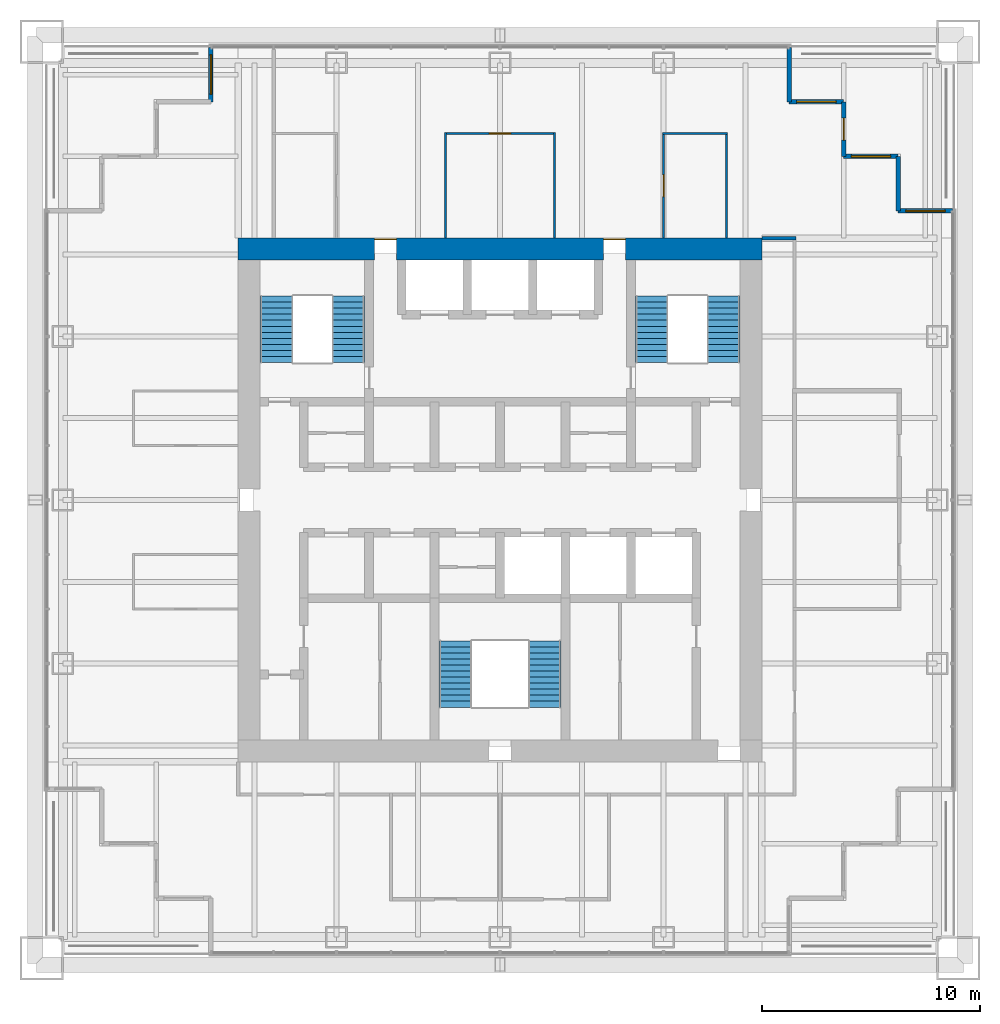
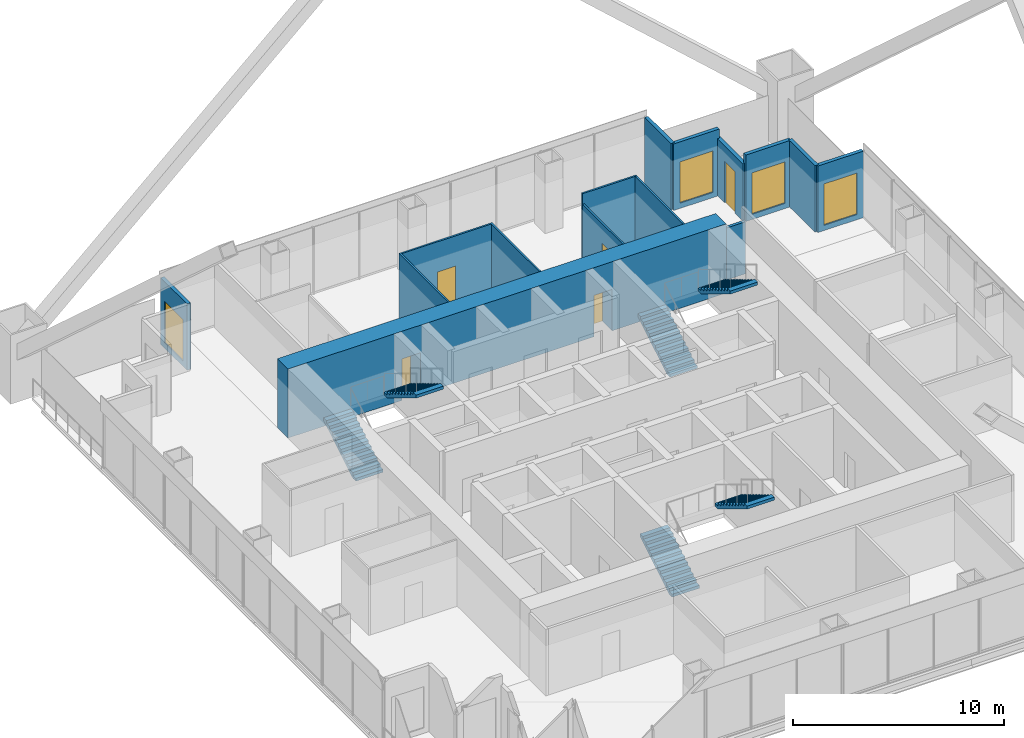
# One storey, part 16 of 18: 15 walls, 6 stair flights, 5 doors, 4 windows, 9 openings, 3 elements without a shape of their own.
"""IFC4 building model written with IfcOpenShell, lengths in metres."""

from ifc_helpers import new_model, si_unit, direction, frame, frame_2d, origin, place, context, subcontext, project, spatial, polyline, rectangle, outline, extrude, material, layer, layer_set, type_object, element, fill, aggregate, save


model = new_model("IFC4")

# Units and contexts
model_context = context("Model", 3, precision=1e-05, world=origin(), true_north=direction((0.0, 1.0)))
body_context = subcontext(model_context, "Body", "Model", "MODEL_VIEW")
ifc_project = project(units=[si_unit("LENGTHUNIT", "METRE"), si_unit("AREAUNIT", "SQUARE_METRE"), si_unit("VOLUMEUNIT", "CUBIC_METRE"), si_unit("PLANEANGLEUNIT", "RADIAN"), si_unit("MASSUNIT", "GRAM", prefix="KILO")], contexts=[model_context])

# Site, building, storey
site_placement = place(None, origin())
site = spatial("IfcSite", under=ifc_project, at=site_placement, CompositionType="ELEMENT")
building_placement = place(site_placement, origin())
building = spatial("IfcBuilding", under=site, at=building_placement, Name="Tarangal Relay Tower", CompositionType="ELEMENT")
storey_placement = place(building_placement, frame((0.0, 0.0, 295.89990234375)))
storey = spatial("IfcBuildingStorey", under=building, at=storey_placement, Name="L65", CompositionType="ELEMENT", Elevation=295.89990234375)

# Wall, openings, doors
ifc_material_1 = material(Name="Concrete fc' 60 MPa", Category="concrete")
ifc_layer_1 = layer(ifc_material_1, 1.0)
ifc_layer_set_1 = layer_set([ifc_layer_1], Name="Core wall 1000")
wall_type_1 = type_object("IfcWallType", Name="Core wall 1000", PredefinedType="SHEAR", material=ifc_layer_set_1)
wall_1_placement = place(storey_placement, frame((-12.0, 11.5, 0.0), z_axis=(0.0, 0.0, 1.0), x_axis=(1.0, 0.0, 0.0)))
wall_1 = element("IfcWall", 1, at=wall_1_placement, inside=storey, type_object=wall_type_1, Name="Core wall N L65", PredefinedType="SHEAR", context=body_context, shape_type="SweptSolid", body=[
    extrude(rectangle(XDim=24.0, YDim=1.0, at=frame_2d((12.0, 0.0))), origin(), (0.0, 0.0, 1.0), 4.0),
])
opening_1_placement = place(wall_1_placement, frame((6.25, 0.0, 0.0)))
opening_1 = element("IfcOpeningElement", 2, at=opening_1_placement, cuts=wall_1, Name="Opening FD3", PredefinedType="OPENING", context=body_context, shape_type="SweptSolid", body=[
    extrude(rectangle(XDim=1.0, YDim=2.39990234375, at=frame_2d((0.5, 1.199951171875))), frame((0.0, 0.510009765625, 0.0), z_axis=(0.0, -1.0, 0.0), x_axis=(1.0, 0.0, 0.0)), (0.0, 0.0, 1.0), 1.02001953125),
])
opening_2_placement = place(wall_1_placement, frame((16.75, 0.0, 0.0)))
opening_2 = element("IfcOpeningElement", 3, at=opening_2_placement, cuts=wall_1, Name="Opening FD3", PredefinedType="OPENING", context=body_context, shape_type="SweptSolid", body=[
    extrude(rectangle(XDim=1.0, YDim=2.39990234375, at=frame_2d((0.5, 1.199951171875))), frame((0.0, 0.510009765625, 0.0), z_axis=(0.0, -1.0, 0.0), x_axis=(1.0, 0.0, 0.0)), (0.0, 0.0, 1.0), 1.02001953125),
])
ifc_material_2 = material(Name="Steel door with hardwood frame", Category="steel")
door_type_1 = type_object("IfcDoorType", Name="Fire door 1000 x 2400 core entry", OperationType="SINGLE_SWING_RIGHT", PredefinedType="DOOR", material=ifc_material_2)
door_1_placement = place(opening_1_placement, origin())
door_1 = element("IfcDoor", 4, at=door_1_placement, inside=storey, type_object=door_type_1, Name="Core entry door north west L65", OperationType="SINGLE_SWING_RIGHT", OverallHeight=2.39990234375, OverallWidth=1.0, PredefinedType="DOOR", context=body_context, shape_type="SweptSolid", body=[
    extrude(rectangle(XDim=1.0, YDim=2.39990234375, at=frame_2d((0.5, 1.199951171875))), frame((0.0, 0.48486328125, 0.0), z_axis=(0.0, -1.0, 0.0), x_axis=(1.0, 0.0, 0.0)), (0.0, 0.0, 1.0), 0.050048828125),
])
fill(opening_1, door_1)
door_2_placement = place(opening_2_placement, origin())
door_2 = element("IfcDoor", 5, at=door_2_placement, inside=storey, type_object=door_type_1, Name="Core entry door north east L65", OperationType="SINGLE_SWING_RIGHT", OverallHeight=2.39990234375, OverallWidth=1.0, PredefinedType="DOOR", context=body_context, shape_type="SweptSolid", body=[
    extrude(rectangle(XDim=1.0, YDim=2.39990234375, at=frame_2d((0.5, 1.199951171875))), frame((0.0, 0.48486328125, 0.0), z_axis=(0.0, -1.0, 0.0), x_axis=(1.0, 0.0, 0.0)), (0.0, 0.0, 1.0), 0.050048828125),
])
fill(opening_2, door_2)

# Wall
ifc_material_3 = material(Name="Black metal clad insulated wall", Category="steel")
ifc_layer_2 = layer(ifc_material_3, 0.199951171875)
ifc_layer_set_2 = layer_set([ifc_layer_2], Name="Corner wall metal clad 200")
wall_type_2 = type_object("IfcWallType", Name="Corner wall metal clad 200", PredefinedType="SOLIDWALL", material=ifc_layer_set_2)
wall_2_placement = place(storey_placement, frame((13.25, 20.75, 0.0), z_axis=(0.0, 0.0, 1.0), x_axis=(0.0, -1.0, 0.0)))
element("IfcWall", 6, at=wall_2_placement, inside=storey, type_object=wall_type_2, Name="Facade wall N facade L65", PredefinedType="SOLIDWALL", context=body_context, shape_type="SweptSolid", body=[
    extrude(rectangle(XDim=2.5, YDim=0.199951171875, at=frame_2d((1.25, 0.0))), origin(), (0.0, 0.0, 1.0), 3.85009765625),
])

# Wall, opening, window
wall_3_placement = place(storey_placement, frame((13.25, 18.25, 0.0), z_axis=(0.0, 0.0, 1.0), x_axis=(1.0, 0.0, 0.0)))
wall_3 = element("IfcWall", 7, at=wall_3_placement, inside=storey, type_object=wall_type_2, Name="Facade wall N facade L65", PredefinedType="SOLIDWALL", context=body_context, shape_type="SweptSolid", body=[
    extrude(rectangle(XDim=2.5, YDim=0.199951171875, at=frame_2d((1.25, 0.0))), origin(), (0.0, 0.0, 1.0), 3.85009765625),
])
opening_3_placement = place(wall_3_placement, frame((0.35009765625, 0.0, 0.300048828125)))
opening_3 = element("IfcOpeningElement", 8, at=opening_3_placement, cuts=wall_3, Name="Opening WN2", PredefinedType="OPENING", context=body_context, shape_type="SweptSolid", body=[
    extrude(rectangle(XDim=1.800048828125, YDim=2.39990234375, at=frame_2d((0.89990234375, 1.199951171875))), frame((0.0, 0.10986328125, 0.0), z_axis=(0.0, -1.0, 0.0), x_axis=(1.0, 0.0, 0.0)), (0.0, 0.0, 1.0), 0.219970703125),
])
ifc_material_4 = material(Name="Dark tinted double glazing in black aluminium frame", Category="aluminium")
window_type = type_object("IfcWindowType", Name="Corner window 1800 x 2400", PartitioningType="SINGLE_PANEL", PredefinedType="WINDOW", material=ifc_material_4)
window_1_placement = place(opening_3_placement, origin())
window_1 = element("IfcWindow", 9, at=window_1_placement, inside=storey, type_object=window_type, Name="Corner window WN2 N facade L65", OverallHeight=2.39990234375, OverallWidth=1.800048828125, PartitioningType="SINGLE_PANEL", PredefinedType="WINDOW", context=body_context, shape_type="SweptSolid", body=[
    extrude(rectangle(XDim=1.800048828125, YDim=2.39990234375, at=frame_2d((0.89990234375, 1.199951171875))), frame((0.0, 0.030029296875, 0.0), z_axis=(0.0, -1.0, 0.0), x_axis=(1.0, 0.0, 0.0)), (0.0, 0.0, 1.0), 0.06005859375),
])
fill(opening_3, window_1)

# Wall, opening, door
wall_4_placement = place(storey_placement, frame((15.75, 18.25, 0.0), z_axis=(0.0, 0.0, 1.0), x_axis=(0.0, -1.0, 0.0)))
wall_4 = element("IfcWall", 10, at=wall_4_placement, inside=storey, type_object=wall_type_2, Name="Facade wall N facade L65", PredefinedType="SOLIDWALL", context=body_context, shape_type="SweptSolid", body=[
    extrude(rectangle(XDim=2.5, YDim=0.199951171875, at=frame_2d((1.25, 0.0))), origin(), (0.0, 0.0, 1.0), 3.316650390625),
])
opening_4_placement = place(wall_4_placement, frame((0.75, 0.0, 0.0)))
opening_4 = element("IfcOpeningElement", 11, at=opening_4_placement, cuts=wall_4, Name="Opening TD1", PredefinedType="OPENING", context=body_context, shape_type="SweptSolid", body=[
    extrude(rectangle(XDim=1.0, YDim=2.39990234375, at=frame_2d((0.5, 1.199951171875))), frame((0.0, 0.10986328125, 0.0), z_axis=(0.0, -1.0, 0.0), x_axis=(1.0, 0.0, 0.0)), (0.0, 0.0, 1.0), 0.219970703125),
])
ifc_material_5 = material(Name="Aluminium glazed door", Category="aluminium")
door_type_2 = type_object("IfcDoorType", Name="Terrace door 1000 x 2400", OperationType="SINGLE_SWING_RIGHT", PredefinedType="DOOR", material=ifc_material_5)
door_3_placement = place(opening_4_placement, origin())
door_3 = element("IfcDoor", 12, at=door_3_placement, inside=storey, type_object=door_type_2, Name="Terrace door TD1 NE L65", OperationType="SINGLE_SWING_RIGHT", OverallHeight=2.39990234375, OverallWidth=1.0, PredefinedType="DOOR", context=body_context, shape_type="SweptSolid", body=[
    extrude(rectangle(XDim=1.0, YDim=2.39990234375, at=frame_2d((0.5, 1.199951171875))), frame((0.0, 0.02490234375, 0.0), z_axis=(0.0, -1.0, 0.0), x_axis=(1.0, 0.0, 0.0)), (0.0, 0.0, 1.0), 0.050048828125),
])
fill(opening_4, door_3)

# Wall, opening, window
wall_5_placement = place(storey_placement, frame((15.75, 15.75, 0.0), z_axis=(0.0, 0.0, 1.0), x_axis=(1.0, 0.0, 0.0)))
wall_5 = element("IfcWall", 13, at=wall_5_placement, inside=storey, type_object=wall_type_2, Name="Facade wall N facade L65", PredefinedType="SOLIDWALL", context=body_context, shape_type="SweptSolid", body=[
    extrude(rectangle(XDim=2.5, YDim=0.199951171875, at=frame_2d((1.25, 0.0))), origin(), (0.0, 0.0, 1.0), 3.85009765625),
])
opening_5_placement = place(wall_5_placement, frame((0.35009765625, 0.0, 0.300048828125)))
opening_5 = element("IfcOpeningElement", 14, at=opening_5_placement, cuts=wall_5, Name="Opening WN2", PredefinedType="OPENING", context=body_context, shape_type="SweptSolid", body=[
    extrude(rectangle(XDim=1.800048828125, YDim=2.39990234375, at=frame_2d((0.89990234375, 1.199951171875))), frame((0.0, 0.10986328125, 0.0), z_axis=(0.0, -1.0, 0.0), x_axis=(1.0, 0.0, 0.0)), (0.0, 0.0, 1.0), 0.219970703125),
])
window_2_placement = place(opening_5_placement, origin())
window_2 = element("IfcWindow", 15, at=window_2_placement, inside=storey, type_object=window_type, Name="Corner window WN2 N facade L65", OverallHeight=2.39990234375, OverallWidth=1.800048828125, PartitioningType="SINGLE_PANEL", PredefinedType="WINDOW", context=body_context, shape_type="SweptSolid", body=[
    extrude(rectangle(XDim=1.800048828125, YDim=2.39990234375, at=frame_2d((0.89990234375, 1.199951171875))), frame((0.0, 0.030029296875, 0.0), z_axis=(0.0, -1.0, 0.0), x_axis=(1.0, 0.0, 0.0)), (0.0, 0.0, 1.0), 0.06005859375),
])
fill(opening_5, window_2)

# Wall
wall_6_placement = place(storey_placement, frame((18.25, 15.75, 0.0), z_axis=(0.0, 0.0, 1.0), x_axis=(0.0, -1.0, 0.0)))
element("IfcWall", 16, at=wall_6_placement, inside=storey, type_object=wall_type_2, Name="Facade wall N facade L65", PredefinedType="SOLIDWALL", context=body_context, shape_type="SweptSolid", body=[
    extrude(rectangle(XDim=2.5, YDim=0.199951171875, at=frame_2d((1.25, 0.0))), origin(), (0.0, 0.0, 1.0), 3.85009765625),
])

# Wall, opening, window
wall_7_placement = place(storey_placement, frame((18.25, 13.25, 0.0), z_axis=(0.0, 0.0, 1.0), x_axis=(1.0, 0.0, 0.0)))
wall_7 = element("IfcWall", 17, at=wall_7_placement, inside=storey, type_object=wall_type_2, Name="Facade wall N facade L65", PredefinedType="SOLIDWALL", context=body_context, shape_type="SweptSolid", body=[
    extrude(rectangle(XDim=2.5, YDim=0.199951171875, at=frame_2d((1.25, 0.0))), origin(), (0.0, 0.0, 1.0), 3.85009765625),
])
opening_6_placement = place(wall_7_placement, frame((0.35009765625, 0.0, 0.300048828125)))
opening_6 = element("IfcOpeningElement", 18, at=opening_6_placement, cuts=wall_7, Name="Opening WN2", PredefinedType="OPENING", context=body_context, shape_type="SweptSolid", body=[
    extrude(rectangle(XDim=1.800048828125, YDim=2.39990234375, at=frame_2d((0.89990234375, 1.199951171875))), frame((0.0, 0.10986328125, 0.0), z_axis=(0.0, -1.0, 0.0), x_axis=(1.0, 0.0, 0.0)), (0.0, 0.0, 1.0), 0.219970703125),
])
window_3_placement = place(opening_6_placement, origin())
window_3 = element("IfcWindow", 19, at=window_3_placement, inside=storey, type_object=window_type, Name="Corner window WN2 N facade L65", OverallHeight=2.39990234375, OverallWidth=1.800048828125, PartitioningType="SINGLE_PANEL", PredefinedType="WINDOW", context=body_context, shape_type="SweptSolid", body=[
    extrude(rectangle(XDim=1.800048828125, YDim=2.39990234375, at=frame_2d((0.89990234375, 1.199951171875))), frame((0.0, 0.030029296875, 0.0), z_axis=(0.0, -1.0, 0.0), x_axis=(1.0, 0.0, 0.0)), (0.0, 0.0, 1.0), 0.06005859375),
])
fill(opening_6, window_3)

wall_8_placement = place(storey_placement, frame((-13.25, 18.25, 0.0), z_axis=(0.0, 0.0, 1.0), x_axis=(0.0, 1.0, 0.0)))
wall_8 = element("IfcWall", 20, at=wall_8_placement, inside=storey, type_object=wall_type_2, Name="Facade wall W facade L65", PredefinedType="SOLIDWALL", context=body_context, shape_type="SweptSolid", body=[
    extrude(rectangle(XDim=2.5, YDim=0.199951171875, at=frame_2d((1.25, 0.0))), origin(), (0.0, 0.0, 1.0), 3.85009765625),
])
opening_7_placement = place(wall_8_placement, frame((0.35009765625, 0.0, 0.300048828125)))
opening_7 = element("IfcOpeningElement", 21, at=opening_7_placement, cuts=wall_8, Name="Opening WN2", PredefinedType="OPENING", context=body_context, shape_type="SweptSolid", body=[
    extrude(rectangle(XDim=1.800048828125, YDim=2.39990234375, at=frame_2d((0.89990234375, 1.199951171875))), frame((0.0, 0.10986328125, 0.0), z_axis=(0.0, -1.0, 0.0), x_axis=(1.0, 0.0, 0.0)), (0.0, 0.0, 1.0), 0.219970703125),
])
window_4_placement = place(opening_7_placement, origin())
window_4 = element("IfcWindow", 22, at=window_4_placement, inside=storey, type_object=window_type, Name="Corner window WN2 W facade L65", OverallHeight=2.39990234375, OverallWidth=1.800048828125, PartitioningType="SINGLE_PANEL", PredefinedType="WINDOW", context=body_context, shape_type="SweptSolid", body=[
    extrude(rectangle(XDim=1.800048828125, YDim=2.39990234375, at=frame_2d((0.89990234375, 1.199951171875))), frame((0.0, 0.030029296875, 0.0), z_axis=(0.0, -1.0, 0.0), x_axis=(1.0, 0.0, 0.0)), (0.0, 0.0, 1.0), 0.06005859375),
])
fill(opening_7, window_4)

# Wall, opening, door
ifc_material_6 = material(Name="Double glazed aluminium framed partition", Category="aluminium")
ifc_layer_3 = layer(ifc_material_6, 0.10009765625)
ifc_layer_set_3 = layer_set([ifc_layer_3], Name="Glazed partition 100")
wall_type_3 = type_object("IfcWallType", Name="Glazed partition 100", PredefinedType="PARTITIONING", material=ifc_layer_set_3)
wall_9_placement = place(storey_placement, frame((-2.550048828125, 16.800048828125, 0.0), z_axis=(0.0, 0.0, 1.0), x_axis=(1.0, 0.0, 0.0)))
wall_9 = element("IfcWall", 23, at=wall_9_placement, inside=storey, type_object=wall_type_3, Name="Partition PT3 L65", PredefinedType="PARTITIONING", context=body_context, shape_type="SweptSolid", body=[
    extrude(rectangle(XDim=5.10009765625, YDim=0.10009765625, at=frame_2d((2.550048828125, 0.0))), origin(), (0.0, 0.0, 1.0), 3.85009765625),
])
opening_8_placement = place(wall_9_placement, frame((2.050048828125, 0.0, 0.0)))
opening_8 = element("IfcOpeningElement", 24, at=opening_8_placement, cuts=wall_9, Name="Opening D3", PredefinedType="OPENING", context=body_context, shape_type="SweptSolid", body=[
    extrude(rectangle(XDim=1.0, YDim=2.10009765625, at=frame_2d((0.5, 1.050048828125))), frame((0.0, 0.06005859375, 0.0), z_axis=(0.0, -1.0, 0.0), x_axis=(1.0, 0.0, 0.0)), (0.0, 0.0, 1.0), 0.1201171875),
])
ifc_material_7 = material(Name="Frameless glass door", Category="glass")
door_type_3 = type_object("IfcDoorType", Name="Glazed door 1000 x 2100", OperationType="SINGLE_SWING_LEFT", PredefinedType="DOOR", material=ifc_material_7)
door_4_placement = place(opening_8_placement, origin())
door_4 = element("IfcDoor", 25, at=door_4_placement, inside=storey, type_object=door_type_3, Name="Door D3 to meeting room L65-03", OperationType="SINGLE_SWING_LEFT", OverallHeight=2.10009765625, OverallWidth=1.0, PredefinedType="DOOR", context=body_context, shape_type="SweptSolid", body=[
    extrude(rectangle(XDim=1.0, YDim=2.10009765625, at=frame_2d((0.5, 1.050048828125))), frame((0.0, 0.02490234375, 0.0), z_axis=(0.0, -1.0, 0.0), x_axis=(1.0, 0.0, 0.0)), (0.0, 0.0, 1.0), 0.050048828125),
])
fill(opening_8, door_4)

# Walls
wall_10_placement = place(storey_placement, frame((7.449951171875, 16.800048828125, 0.0), z_axis=(0.0, 0.0, 1.0), x_axis=(1.0, 0.0, 0.0)))
element("IfcWall", 26, at=wall_10_placement, inside=storey, type_object=wall_type_3, Name="Partition PT3 L65", PredefinedType="PARTITIONING", context=body_context, shape_type="SweptSolid", body=[
    extrude(rectangle(XDim=2.97509765625, YDim=0.10009765625, at=frame_2d((1.487548828125, 0.0))), origin(), (0.0, 0.0, 1.0), 3.85009765625),
])
for number, where, z_axis, x_axis, name in (
    (27, (-2.5, 12.0, 0.0), (0.0, 0.0, 1.0), (0.0, 1.0, 0.0), "Partition PT3 L65"),
    (28, (2.5, 12.0, 0.0), (0.0, 0.0, 1.0), (0.0, 1.0, 0.0), "Partition PT3 L65"),
):
    element("IfcWall", number, at=place(storey_placement, frame(where, z_axis=z_axis, x_axis=x_axis)), inside=storey, type_object=wall_type_3, Name=name, PredefinedType="PARTITIONING", context=body_context, shape_type="SweptSolid", body=[
        extrude(rectangle(XDim=4.85009765625, YDim=0.10009765625, at=frame_2d((2.425048828125, 0.0))), origin(), (0.0, 0.0, 1.0), 3.85009765625),
    ])

# Wall, opening, door
wall_11_placement = place(storey_placement, frame((7.5, 12.0, 0.0), z_axis=(0.0, 0.0, 1.0), x_axis=(0.0, 1.0, 0.0)))
wall_11 = element("IfcWall", 29, at=wall_11_placement, inside=storey, type_object=wall_type_3, Name="Partition PT3 L65", PredefinedType="PARTITIONING", context=body_context, shape_type="SweptSolid", body=[
    extrude(rectangle(XDim=4.85009765625, YDim=0.10009765625, at=frame_2d((2.425048828125, 0.0))), origin(), (0.0, 0.0, 1.0), 3.2431640625),
])
opening_9_placement = place(wall_11_placement, frame((1.89990234375, 0.0, 0.0)))
opening_9 = element("IfcOpeningElement", 30, at=opening_9_placement, cuts=wall_11, Name="Opening D3", PredefinedType="OPENING", context=body_context, shape_type="SweptSolid", body=[
    extrude(rectangle(XDim=1.0, YDim=2.10009765625, at=frame_2d((0.5, 1.050048828125))), frame((0.0, 0.06005859375, 0.0), z_axis=(0.0, -1.0, 0.0), x_axis=(1.0, 0.0, 0.0)), (0.0, 0.0, 1.0), 0.1201171875),
])
door_5_placement = place(opening_9_placement, origin())
door_5 = element("IfcDoor", 31, at=door_5_placement, inside=storey, type_object=door_type_3, Name="Door D3 to project room L65-04", OperationType="SINGLE_SWING_LEFT", OverallHeight=2.10009765625, OverallWidth=1.0, PredefinedType="DOOR", context=body_context, shape_type="SweptSolid", body=[
    extrude(rectangle(XDim=1.0, YDim=2.10009765625, at=frame_2d((0.5, 1.050048828125))), frame((0.0, 0.02490234375, 0.0), z_axis=(0.0, -1.0, 0.0), x_axis=(1.0, 0.0, 0.0)), (0.0, 0.0, 1.0), 0.050048828125),
])
fill(opening_9, door_5)

# Walls
wall_12_placement = place(storey_placement, frame((10.375, 12.0, 0.0), z_axis=(0.0, 0.0, 1.0), x_axis=(0.0, 1.0, 0.0)))
element("IfcWall", 32, at=wall_12_placement, inside=storey, type_object=wall_type_3, Name="Partition PT3 L65", PredefinedType="PARTITIONING", context=body_context, shape_type="SweptSolid", body=[
    extrude(rectangle(XDim=4.85009765625, YDim=0.10009765625, at=frame_2d((2.425048828125, 0.0))), origin(), (0.0, 0.0, 1.0), 3.85009765625),
])
ifc_material_8 = material(Name="Gypsum board on steel studs", Category="steel")
ifc_layer_4 = layer(ifc_material_8, 0.14990234375)
ifc_layer_set_4 = layer_set([ifc_layer_4], Name="Partition 150")
wall_type_4 = type_object("IfcWallType", Name="Partition 150", PredefinedType="PARTITIONING", material=ifc_layer_set_4)
wall_13_placement = place(storey_placement, frame((12.0, 12.0, 0.0), z_axis=(0.0, 0.0, 1.0), x_axis=(1.0, 0.0, 0.0)))
element("IfcWall", 33, at=wall_13_placement, inside=storey, type_object=wall_type_4, Name="Partition PT1 L65", PredefinedType="PARTITIONING", context=body_context, shape_type="SweptSolid", body=[
    extrude(rectangle(XDim=1.574951171875, YDim=0.14990234375, at=frame_2d((0.78759765625, 0.0))), origin(), (0.0, 0.0, 1.0), 3.009521484375),
])

# Stair, stair flights
ifc_material_9 = material(Name="Steel ASTM A992 stair flight", Category="steel")
stair_type = type_object("IfcStairType", Name="Core stair 1500", PredefinedType="HALF_TURN_STAIR", material=ifc_material_9)
stair_1_placement = place(storey_placement, origin())
stair_1 = element("IfcStair", 34, at=stair_1_placement, inside=storey, type_object=stair_type, Name="Stair ST-A L65", PredefinedType="HALF_TURN_STAIR")
stair_flight_type = type_object("IfcStairFlightType", Name="Steel stair flight 1500, 12 risers 167 x 277", PredefinedType="STRAIGHT", material=ifc_material_9)
stair_flight_1_placement = place(storey_placement, frame((-10.25, 6.300048828125, 0.0), z_axis=(0.0, 0.0, 1.0), x_axis=(0.0, 1.0, 0.0)))
stair_flight_1 = element("IfcStairFlight", 35, at=stair_flight_1_placement, type_object=stair_flight_type, Name="ST-A flight 1", NumberOfRisers=12, NumberOfTreads=11, PredefinedType="STRAIGHT", RiserHeight=0.166666667, TreadLength=0.277, context=body_context, shape_type="SweptSolid", body=[
    extrude(outline(polyline([(0.0, 0.0), (0.0, 0.166748046875), (0.277099609375, 0.166748046875), (0.277099609375, 0.333251953125), (0.553955078125, 0.333251953125), (0.553955078125, 0.5), (0.8310546875, 0.5), (0.8310546875, 0.666748046875), (1.10791015625, 0.666748046875), (1.10791015625, 0.833251953125), (1.385009765625, 0.833251953125), (1.385009765625, 1.0), (1.662109375, 1.0), (1.662109375, 1.166748046875), (1.93896484375, 1.166748046875), (1.93896484375, 1.333251953125), (2.216064453125, 1.333251953125), (2.216064453125, 1.5), (2.492919921875, 1.5), (2.492919921875, 1.666748046875), (2.77001953125, 1.666748046875), (2.77001953125, 1.833251953125), (3.047119140625, 1.833251953125), (3.047119140625, 2.0), (3.047119140625, 1.658447265625), (0.290771484375, 0.0), (0.0, 0.0)])), frame((0.0, 0.75, 0.0), z_axis=(0.0, -1.0, 0.0), x_axis=(1.0, 0.0, 0.0)), (0.0, 0.0, 1.0), 1.5),
])
stair_flight_2_placement = place(storey_placement, frame((-6.949951171875, 9.346923828125, 2.0), z_axis=(0.0, 0.0, 1.0), x_axis=(0.0, -1.0, 0.0)))
stair_flight_2 = element("IfcStairFlight", 36, at=stair_flight_2_placement, type_object=stair_flight_type, Name="ST-A flight 2", NumberOfRisers=12, NumberOfTreads=11, PredefinedType="STRAIGHT", RiserHeight=0.166666667, TreadLength=0.277, context=body_context, shape_type="SweptSolid", body=[
    extrude(outline(polyline([(0.0, 0.0), (0.0, 0.166748046875), (0.277099609375, 0.166748046875), (0.277099609375, 0.333251953125), (0.553955078125, 0.333251953125), (0.553955078125, 0.5), (0.8310546875, 0.5), (0.8310546875, 0.666748046875), (1.10791015625, 0.666748046875), (1.10791015625, 0.833251953125), (1.385009765625, 0.833251953125), (1.385009765625, 1.0), (1.662109375, 1.0), (1.662109375, 1.166748046875), (1.93896484375, 1.166748046875), (1.93896484375, 1.333251953125), (2.216064453125, 1.333251953125), (2.216064453125, 1.5), (2.492919921875, 1.5), (2.492919921875, 1.666748046875), (2.77001953125, 1.666748046875), (2.77001953125, 1.833251953125), (3.047119140625, 1.833251953125), (3.047119140625, 2.0), (3.047119140625, 1.658447265625), (0.290771484375, 0.0), (0.0, 0.0)])), frame((0.0, 0.75, 0.0), z_axis=(0.0, -1.0, 0.0), x_axis=(1.0, 0.0, 0.0)), (0.0, 0.0, 1.0), 1.5),
])
aggregate(stair_1, [stair_flight_1, stair_flight_2])

stair_2_placement = place(storey_placement, origin())
stair_2 = element("IfcStair", 37, at=stair_2_placement, inside=storey, type_object=stair_type, Name="Stair ST-B L65", PredefinedType="HALF_TURN_STAIR")
stair_flight_3_placement = place(storey_placement, frame((6.949951171875, 6.300048828125, 0.0), z_axis=(0.0, 0.0, 1.0), x_axis=(0.0, 1.0, 0.0)))
stair_flight_3 = element("IfcStairFlight", 38, at=stair_flight_3_placement, type_object=stair_flight_type, Name="ST-B flight 1", NumberOfRisers=12, NumberOfTreads=11, PredefinedType="STRAIGHT", RiserHeight=0.166666667, TreadLength=0.277, context=body_context, shape_type="SweptSolid", body=[
    extrude(outline(polyline([(0.0, 0.0), (0.0, 0.166748046875), (0.277099609375, 0.166748046875), (0.277099609375, 0.333251953125), (0.553955078125, 0.333251953125), (0.553955078125, 0.5), (0.8310546875, 0.5), (0.8310546875, 0.666748046875), (1.10791015625, 0.666748046875), (1.10791015625, 0.833251953125), (1.385009765625, 0.833251953125), (1.385009765625, 1.0), (1.662109375, 1.0), (1.662109375, 1.166748046875), (1.93896484375, 1.166748046875), (1.93896484375, 1.333251953125), (2.216064453125, 1.333251953125), (2.216064453125, 1.5), (2.492919921875, 1.5), (2.492919921875, 1.666748046875), (2.77001953125, 1.666748046875), (2.77001953125, 1.833251953125), (3.047119140625, 1.833251953125), (3.047119140625, 2.0), (3.047119140625, 1.658447265625), (0.290771484375, 0.0), (0.0, 0.0)])), frame((0.0, 0.75, 0.0), z_axis=(0.0, -1.0, 0.0), x_axis=(1.0, 0.0, 0.0)), (0.0, 0.0, 1.0), 1.5),
])
stair_flight_4_placement = place(storey_placement, frame((10.25, 9.346923828125, 2.0), z_axis=(0.0, 0.0, 1.0), x_axis=(0.0, -1.0, 0.0)))
stair_flight_4 = element("IfcStairFlight", 39, at=stair_flight_4_placement, type_object=stair_flight_type, Name="ST-B flight 2", NumberOfRisers=12, NumberOfTreads=11, PredefinedType="STRAIGHT", RiserHeight=0.166666667, TreadLength=0.277, context=body_context, shape_type="SweptSolid", body=[
    extrude(outline(polyline([(0.0, 0.0), (0.0, 0.166748046875), (0.277099609375, 0.166748046875), (0.277099609375, 0.333251953125), (0.553955078125, 0.333251953125), (0.553955078125, 0.5), (0.8310546875, 0.5), (0.8310546875, 0.666748046875), (1.10791015625, 0.666748046875), (1.10791015625, 0.833251953125), (1.385009765625, 0.833251953125), (1.385009765625, 1.0), (1.662109375, 1.0), (1.662109375, 1.166748046875), (1.93896484375, 1.166748046875), (1.93896484375, 1.333251953125), (2.216064453125, 1.333251953125), (2.216064453125, 1.5), (2.492919921875, 1.5), (2.492919921875, 1.666748046875), (2.77001953125, 1.666748046875), (2.77001953125, 1.833251953125), (3.047119140625, 1.833251953125), (3.047119140625, 2.0), (3.047119140625, 1.658447265625), (0.290771484375, 0.0), (0.0, 0.0)])), frame((0.0, 0.75, 0.0), z_axis=(0.0, -1.0, 0.0), x_axis=(1.0, 0.0, 0.0)), (0.0, 0.0, 1.0), 1.5),
])
aggregate(stair_2, [stair_flight_3, stair_flight_4])

stair_3_placement = place(storey_placement, origin())
stair_3 = element("IfcStair", 40, at=stair_3_placement, inside=storey, type_object=stair_type, Name="Stair ST-C L65", PredefinedType="HALF_TURN_STAIR")
stair_flight_5_placement = place(storey_placement, frame((-2.050048828125, -9.5, 0.0), z_axis=(0.0, 0.0, 1.0), x_axis=(0.0, 1.0, 0.0)))
stair_flight_5 = element("IfcStairFlight", 41, at=stair_flight_5_placement, type_object=stair_flight_type, Name="ST-C flight 1", NumberOfRisers=12, NumberOfTreads=11, PredefinedType="STRAIGHT", RiserHeight=0.166666667, TreadLength=0.277, context=body_context, shape_type="SweptSolid", body=[
    extrude(outline(polyline([(0.0, 0.0), (0.0, 0.166748046875), (0.277099609375, 0.166748046875), (0.277099609375, 0.333251953125), (0.553955078125, 0.333251953125), (0.553955078125, 0.5), (0.8310546875, 0.5), (0.8310546875, 0.666748046875), (1.10791015625, 0.666748046875), (1.10791015625, 0.833251953125), (1.385009765625, 0.833251953125), (1.385009765625, 1.0), (1.662109375, 1.0), (1.662109375, 1.166748046875), (1.93896484375, 1.166748046875), (1.93896484375, 1.333251953125), (2.216064453125, 1.333251953125), (2.216064453125, 1.5), (2.492919921875, 1.5), (2.492919921875, 1.666748046875), (2.77001953125, 1.666748046875), (2.77001953125, 1.833251953125), (3.047119140625, 1.833251953125), (3.047119140625, 2.0), (3.047119140625, 1.658447265625), (0.290771484375, 0.0), (0.0, 0.0)])), frame((0.0, 0.75, 0.0), z_axis=(0.0, -1.0, 0.0), x_axis=(1.0, 0.0, 0.0)), (0.0, 0.0, 1.0), 1.5),
])
stair_flight_6_placement = place(storey_placement, frame((2.050048828125, -6.452880859375, 2.0), z_axis=(0.0, 0.0, 1.0), x_axis=(0.0, -1.0, 0.0)))
stair_flight_6 = element("IfcStairFlight", 42, at=stair_flight_6_placement, type_object=stair_flight_type, Name="ST-C flight 2", NumberOfRisers=12, NumberOfTreads=11, PredefinedType="STRAIGHT", RiserHeight=0.166666667, TreadLength=0.277, context=body_context, shape_type="SweptSolid", body=[
    extrude(outline(polyline([(0.0, 0.0), (0.0, 0.166748046875), (0.277099609375, 0.166748046875), (0.277099609375, 0.333251953125), (0.553955078125, 0.333251953125), (0.553955078125, 0.5), (0.8310546875, 0.5), (0.8310546875, 0.666748046875), (1.10791015625, 0.666748046875), (1.10791015625, 0.833251953125), (1.385009765625, 0.833251953125), (1.385009765625, 1.0), (1.662109375, 1.0), (1.662109375, 1.166748046875), (1.93896484375, 1.166748046875), (1.93896484375, 1.333251953125), (2.216064453125, 1.333251953125), (2.216064453125, 1.5), (2.492919921875, 1.5), (2.492919921875, 1.666748046875), (2.77001953125, 1.666748046875), (2.77001953125, 1.833251953125), (3.047119140625, 1.833251953125), (3.047119140625, 2.0), (3.047119140625, 1.658447265625), (0.290771484375, 0.0), (0.0, 0.0)])), frame((0.0, 0.75, 0.0), z_axis=(0.0, -1.0, 0.0), x_axis=(1.0, 0.0, 0.0)), (0.0, 0.0, 1.0), 1.5),
])
aggregate(stair_3, [stair_flight_5, stair_flight_6])

save(model, "model.ifc")
